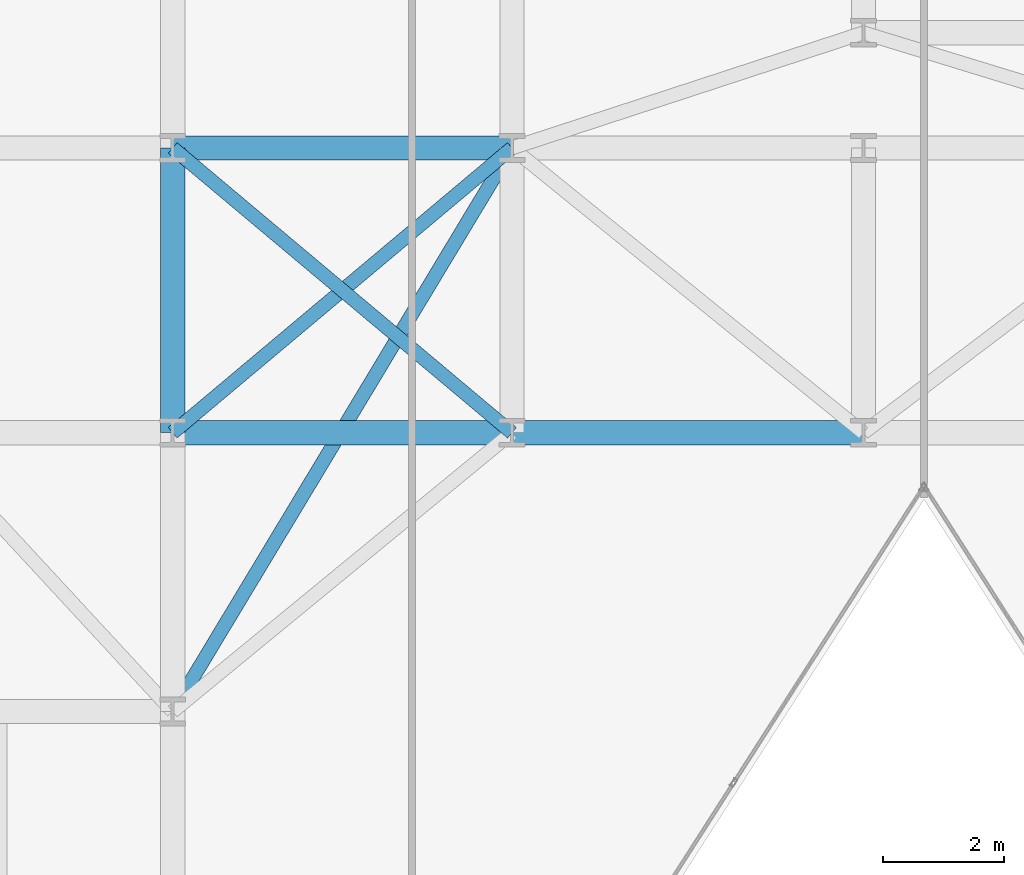
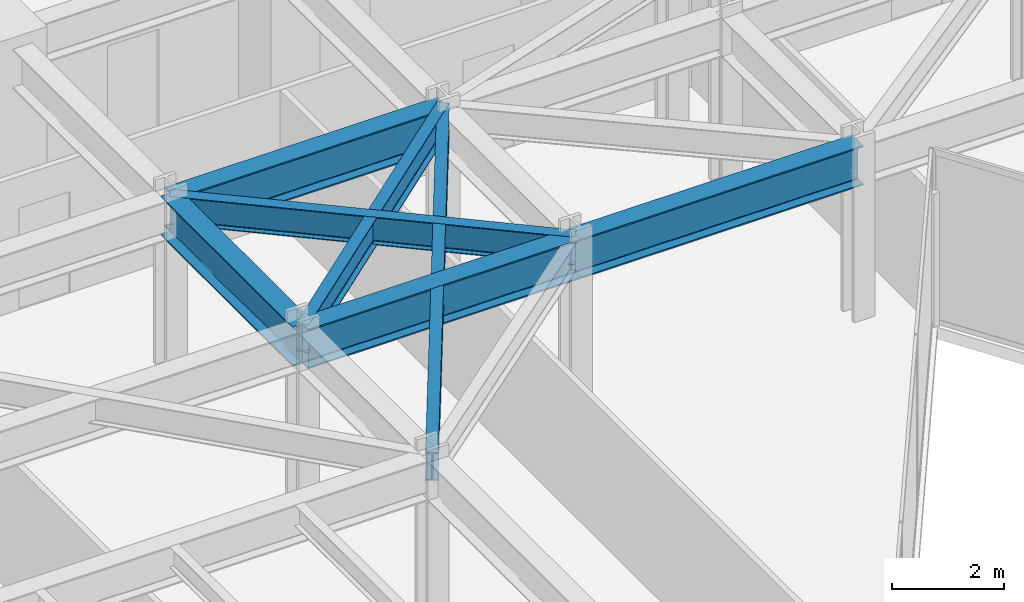
# One storey, part 7 of 24: 7 beams.
"""IFC4 building model written with IfcOpenShell, lengths in metres."""

from ifc_helpers import new_model, si_unit, direction, frame, origin, origin_2d, place, context, subcontext, project, spatial, i_section, extrude, material, material_profile, profile_set, type_object, element, save


model = new_model("IFC4")

# Units and contexts
model_context = context("Model", 3, precision=1e-05, world=origin(), true_north=direction((0.0, 1.0)))
body_context = subcontext(model_context, "Body", "Model", "MODEL_VIEW")
ifc_project = project(units=[si_unit("LENGTHUNIT", "METRE"), si_unit("AREAUNIT", "SQUARE_METRE"), si_unit("VOLUMEUNIT", "CUBIC_METRE"), si_unit("PLANEANGLEUNIT", "RADIAN"), si_unit("MASSUNIT", "GRAM", prefix="KILO")], contexts=[model_context])

# Site, building, storey
site_placement = place(None, origin())
site = spatial("IfcSite", under=ifc_project, at=site_placement, CompositionType="ELEMENT")
building_placement = place(site_placement, origin())
building = spatial("IfcBuilding", under=site, at=building_placement, Name="Kravanh Interchange Tower", CompositionType="ELEMENT")
storey_placement = place(building_placement, frame((0.0, 0.0, 96.0)))
storey = spatial("IfcBuildingStorey", under=building, at=storey_placement, Name="L22", CompositionType="ELEMENT", Elevation=96.0)

# Beams
ifc_material_1 = material(Name="Structural Steel S355", Category="steel")
ifc_material_profile_1 = material_profile(ifc_material_1, i_section(OverallWidth=0.39990234375, OverallDepth=0.85595703125, WebThickness=0.018310546875, FlangeThickness=0.029296875, FilletRadius=0.02490234375, at=origin_2d()), Name="W33X201")
ifc_profile_set_1 = profile_set([ifc_material_profile_1], Name="Structural Steel S355")
beam_type_1 = type_object("IfcBeamType", Name="Floor Beam W33X201 Structural Steel S355", PredefinedType="BEAM", material=ifc_profile_set_1)
beam_1_placement = place(storey_placement, frame((27.199951171875, 26.800048828125, 3.322021484375), z_axis=(0.0, 1.0, 0.0), x_axis=(-1.0, 0.0, 0.0)))
element("IfcBeam", 1, at=beam_1_placement, inside=storey, type_object=beam_type_1, Name="L22 Primary Floor Girder 46", PredefinedType="BEAM", context=body_context, shape_type="SweptSolid", body=[
    extrude(i_section(OverallWidth=0.39990234375, OverallDepth=0.85595703125, WebThickness=0.018310546875, FlangeThickness=0.029296875, FilletRadius=0.02490234375, at=origin_2d()), origin(), (0.0, 0.0, 1.0), 4.699951171875),
])
beam_2_placement = place(storey_placement, frame((27.199951171875, 26.800048828125, 3.322021484375), z_axis=(1.0, 0.0, 0.0), x_axis=(0.0, 1.0, 0.0)))
element("IfcBeam", 2, at=beam_2_placement, inside=storey, type_object=beam_type_1, Name="L22 Primary Floor Girder 47", PredefinedType="BEAM", context=body_context, shape_type="SweptSolid", body=[
    extrude(i_section(OverallWidth=0.39990234375, OverallDepth=0.85595703125, WebThickness=0.018310546875, FlangeThickness=0.029296875, FilletRadius=0.02490234375, at=origin_2d()), origin(), (0.0, 0.0, 1.0), 5.60009765625),
])
beam_3_placement = place(storey_placement, frame((32.800048828125, 26.800048828125, 3.322021484375), z_axis=(1.0, 0.0, 0.0), x_axis=(0.0, 1.0, 0.0)))
element("IfcBeam", 3, at=beam_3_placement, inside=storey, type_object=beam_type_1, Name="L22 Primary Floor Girder 50", PredefinedType="BEAM", context=body_context, shape_type="SweptSolid", body=[
    extrude(i_section(OverallWidth=0.39990234375, OverallDepth=0.85595703125, WebThickness=0.018310546875, FlangeThickness=0.029296875, FilletRadius=0.02490234375, at=origin_2d()), origin(), (0.0, 0.0, 1.0), 5.800048828125),
])
beam_4_placement = place(storey_placement, frame((27.199951171875, 31.5, 3.322021484375), z_axis=(1.0, 0.0, 0.0), x_axis=(0.0, 1.0, 0.0)))
element("IfcBeam", 4, at=beam_4_placement, inside=storey, type_object=beam_type_1, Name="L22 Primary Floor Girder 74", PredefinedType="BEAM", context=body_context, shape_type="SweptSolid", body=[
    extrude(i_section(OverallWidth=0.39990234375, OverallDepth=0.85595703125, WebThickness=0.018310546875, FlangeThickness=0.029296875, FilletRadius=0.02490234375, at=origin_2d()), origin(), (0.0, 0.0, 1.0), 5.60009765625),
])
ifc_material_2 = material(Name="Structural Steel S355", Category="steel")
ifc_material_profile_2 = material_profile(ifc_material_2, i_section(OverallWidth=0.22802734375, OverallDepth=0.60791015625, WebThickness=0.01123046875, FlangeThickness=0.017333984375, FilletRadius=0.02197265625, at=origin_2d()), Name="W24X76")
ifc_profile_set_2 = profile_set([ifc_material_profile_2], Name="Structural Steel S355")
beam_type_2 = type_object("IfcBeamType", Name="Floor Spandrel W24X76 Structural Steel S355", PredefinedType="SPANDREL", material=ifc_profile_set_2)
for number, where, z_axis, x_axis, name in (
    (5, (27.199951171875, 26.800048828125, 3.446044921875), (0.765983062929, 0.642860752657, 0.0), (-0.642860752657, 0.765983062929, 0.0), "L22 Perimeter Spandrel 48"),
    (6, (32.800048828125, 26.800048828125, 3.446044921875), (-0.765983062929, 0.642860752657, 0.0), (-0.642860752657, -0.765983062929, 0.0), "L22 Perimeter Spandrel 52"),
):
    element("IfcBeam", number, at=place(storey_placement, frame(where, z_axis=z_axis, x_axis=x_axis)), inside=storey, type_object=beam_type_2, Name=name, PredefinedType="SPANDREL", context=body_context, shape_type="SweptSolid", body=[
        extrude(i_section(OverallWidth=0.22802734375, OverallDepth=0.60791015625, WebThickness=0.01123046875, FlangeThickness=0.017333984375, FilletRadius=0.02197265625, at=origin_2d()), origin(), (0.0, 0.0, 1.0), 7.31103515625),
    ])
beam_5_placement = place(storey_placement, frame((32.800048828125, 31.5, 3.446044921875), z_axis=(-0.515854375109, -0.856676288735, 0.0), x_axis=(0.856676288735, -0.515854375109, 0.0)))
element("IfcBeam", 7, at=beam_5_placement, inside=storey, type_object=beam_type_2, Name="L22 Perimeter Spandrel 80", PredefinedType="SPANDREL", context=body_context, shape_type="SweptSolid", body=[
    extrude(i_section(OverallWidth=0.22802734375, OverallDepth=0.60791015625, WebThickness=0.01123046875, FlangeThickness=0.017333984375, FilletRadius=0.02197265625, at=origin_2d()), origin(), (0.0, 0.0, 1.0), 10.85595703125),
])

save(model, "model.ifc")
